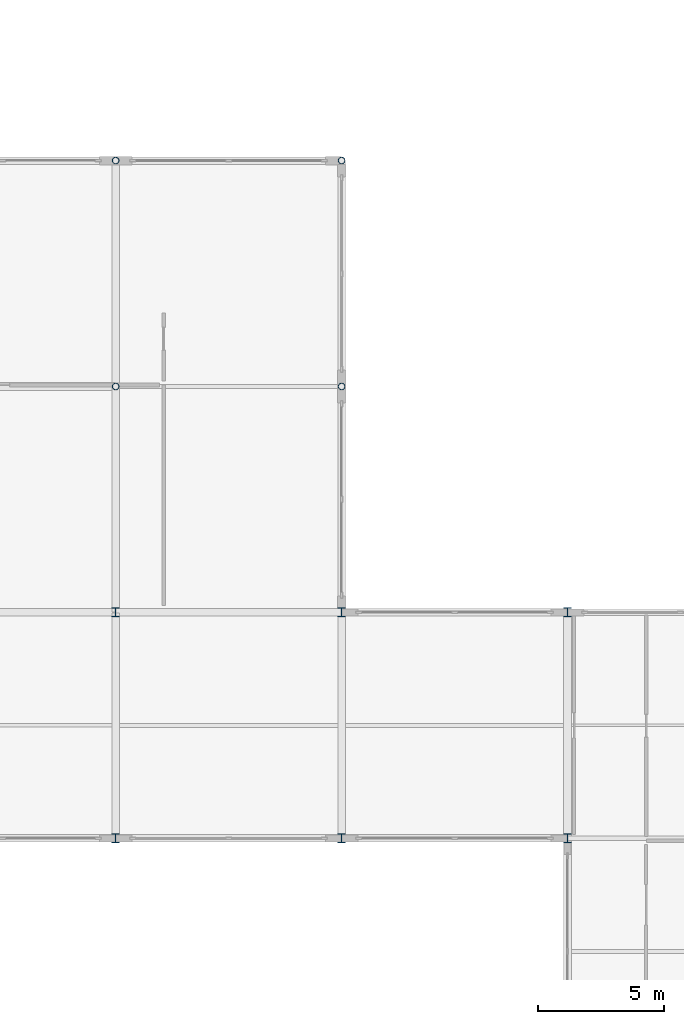
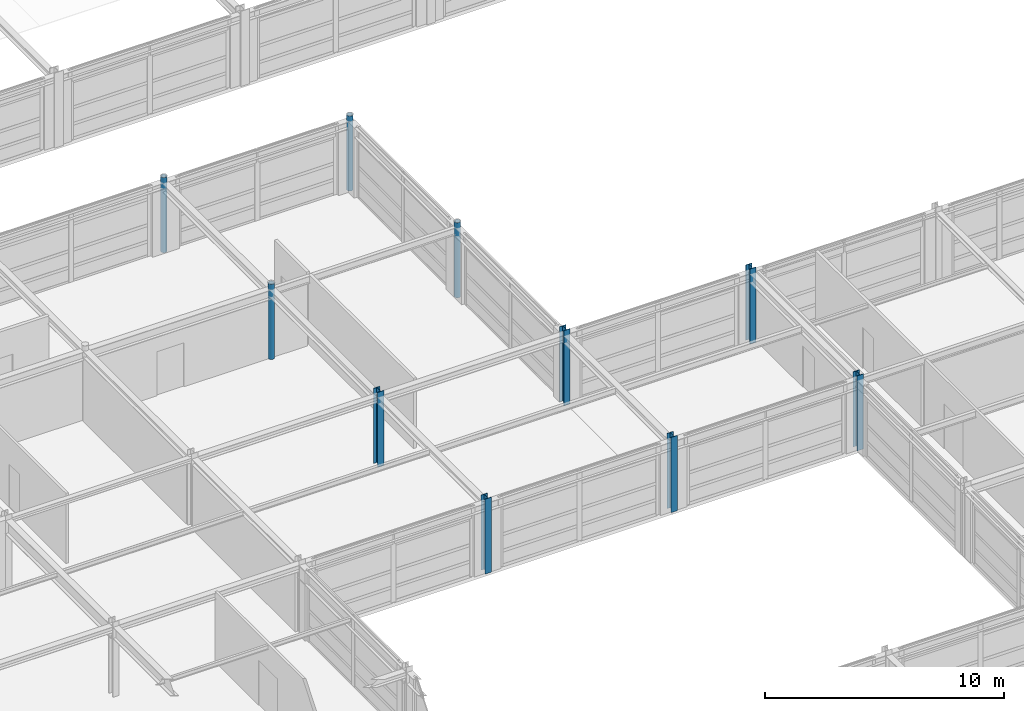
# One storey, part 16 of 79: 10 columns.
"""IFC4 building model written with IfcOpenShell, lengths in metres."""

from ifc_helpers import new_model, si_unit, direction, frame, origin, origin_2d, place, context, subcontext, project, spatial, hollow_circle, i_section, extrude, material, material_profile, profile_set, type_object, element, save


model = new_model("IFC4")

# Units and contexts
model_context = context("Model", 3, precision=1e-05, world=origin(), true_north=direction((0.0, 1.0)))
body_context = subcontext(model_context, "Body", "Model", "MODEL_VIEW")
ifc_project = project(units=[si_unit("LENGTHUNIT", "METRE"), si_unit("AREAUNIT", "SQUARE_METRE"), si_unit("VOLUMEUNIT", "CUBIC_METRE"), si_unit("PLANEANGLEUNIT", "RADIAN"), si_unit("MASSUNIT", "GRAM", prefix="KILO")], contexts=[model_context])

# Site, building, storey
site_placement = place(None, origin())
site = spatial("IfcSite", under=ifc_project, at=site_placement, CompositionType="ELEMENT")
building_placement = place(site_placement, origin())
building = spatial("IfcBuilding", under=site, at=building_placement, Name="Palais des Congres Ocreval", CompositionType="ELEMENT")
storey_placement = place(building_placement, frame((0.0, 0.0, 4.320068359375)))
storey = spatial("IfcBuildingStorey", under=building, at=storey_placement, Name="L01", CompositionType="ELEMENT", Elevation=4.320068359375)

# Columns
ifc_material = material(Name="Steel S355", Category="steel")
ifc_material_profile_1 = material_profile(ifc_material, hollow_circle(Radius=0.136474609375, WallThickness=0.012451171875, at=origin_2d()), Name="CHS 273x12.5")
ifc_profile_set_1 = profile_set([ifc_material_profile_1], Name="Steel S355")
column_type_1 = type_object("IfcColumnType", Name="Column CHS 273x12.5 Steel S355", PredefinedType="COLUMN", material=ifc_profile_set_1)
for number, where, z_axis, x_axis, name in (
    (1, (135.0, 54.0, 0.0), (0.0, 0.0, 1.0), (1.0, 0.0, 0.0), "Column C17 L01"),
    (2, (135.0, 63.0, 0.0), (0.0, 0.0, 1.0), (1.0, 0.0, 0.0), "Column C17 L01"),
    (3, (144.0, 54.0, 0.0), (0.0, 0.0, 1.0), (1.0, 0.0, 0.0), "Column C17 L01"),
    (4, (144.0, 63.0, 0.0), (0.0, 0.0, 1.0), (1.0, 0.0, 0.0), "Column C17 L01"),
):
    element("IfcColumn", number, at=place(storey_placement, frame(where, z_axis=z_axis, x_axis=x_axis)), inside=storey, type_object=column_type_1, Name=name, PredefinedType="COLUMN", context=body_context, shape_type="SweptSolid", body=[
        extrude(hollow_circle(Radius=0.136474609375, WallThickness=0.012451171875, at=origin_2d()), origin(), (0.0, 0.0, 1.0), 3.83984375),
    ])
ifc_material_profile_2 = material_profile(ifc_material, i_section(OverallWidth=0.300048828125, OverallDepth=0.360107421875, WebThickness=0.012451171875, FlangeThickness=0.0224609375, at=origin_2d()), Name="HEB 360")
ifc_profile_set_2 = profile_set([ifc_material_profile_2], Name="Steel S355")
column_type_2 = type_object("IfcColumnType", Name="Column HEB 360 Steel S355", PredefinedType="COLUMN", material=ifc_profile_set_2)
for number, where, z_axis, x_axis, name in (
    (5, (135.0, 36.0, 0.0), (0.0, 0.0, 1.0), (1.0, 0.0, 0.0), "Column C11 L01"),
    (6, (135.0, 45.0, 0.0), (0.0, 0.0, 1.0), (1.0, 0.0, 0.0), "Column C11 L01"),
    (7, (144.0, 36.0, 0.0), (0.0, 0.0, 1.0), (1.0, 0.0, 0.0), "Column C11 L01"),
    (8, (144.0, 45.0, 0.0), (0.0, 0.0, 1.0), (1.0, 0.0, 0.0), "Column C11 L01"),
    (9, (153.0, 36.0, 0.0), (0.0, 0.0, 1.0), (1.0, 0.0, 0.0), "Column C11 L01"),
    (10, (153.0, 45.0, 0.0), (0.0, 0.0, 1.0), (1.0, 0.0, 0.0), "Column C11 L01"),
):
    element("IfcColumn", number, at=place(storey_placement, frame(where, z_axis=z_axis, x_axis=x_axis)), inside=storey, type_object=column_type_2, Name=name, PredefinedType="COLUMN", context=body_context, shape_type="SweptSolid", body=[
        extrude(i_section(OverallWidth=0.300048828125, OverallDepth=0.360107421875, WebThickness=0.012451171875, FlangeThickness=0.0224609375, at=origin_2d()), origin(), (0.0, 0.0, 1.0), 3.83984375),
    ])

save(model, "model.ifc")
